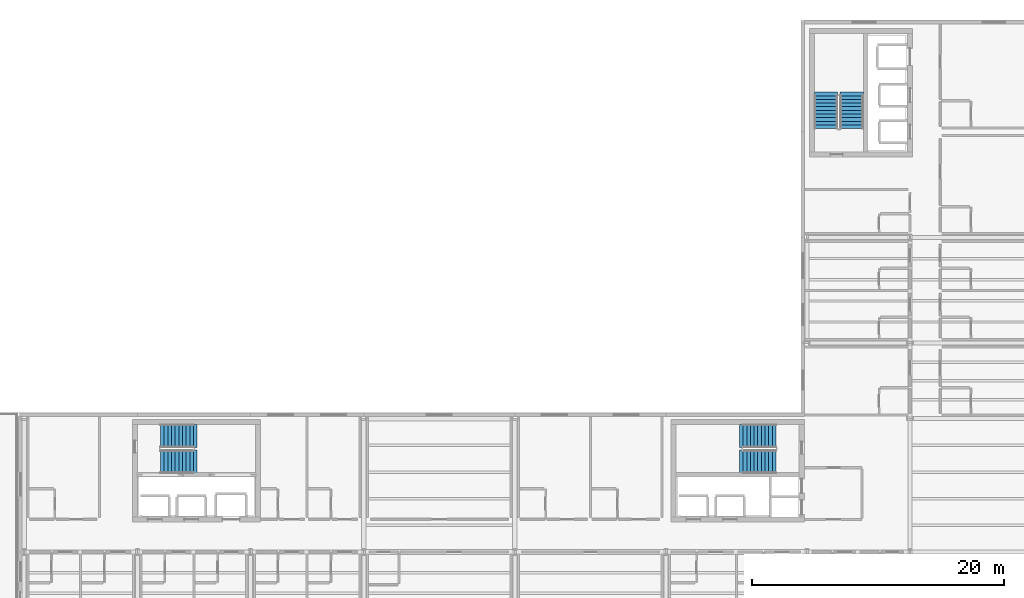
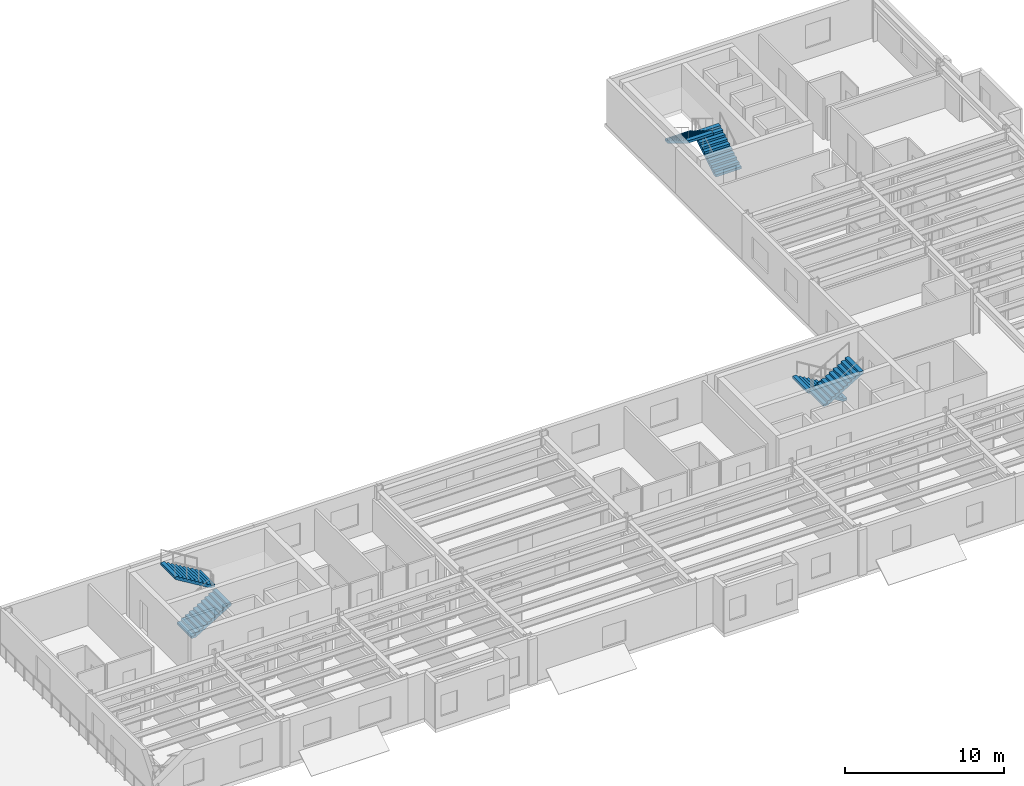
# One storey, part 13 of 17: 6 stair flights, 3 elements without a shape of their own.
"""IFC4 building model written with IfcOpenShell, lengths in metres."""

from ifc_helpers import new_model, si_unit, direction, frame, origin, place, context, subcontext, project, spatial, polyline, outline, extrude, material, type_object, element, aggregate, save


model = new_model("IFC4")

# Units and contexts
model_context = context("Model", 3, precision=1e-05, world=origin(), true_north=direction((0.0, 1.0)))
body_context = subcontext(model_context, "Body", "Model", "MODEL_VIEW")
ifc_project = project(units=[si_unit("LENGTHUNIT", "METRE"), si_unit("AREAUNIT", "SQUARE_METRE"), si_unit("VOLUMEUNIT", "CUBIC_METRE"), si_unit("PLANEANGLEUNIT", "RADIAN"), si_unit("MASSUNIT", "GRAM", prefix="KILO")], contexts=[model_context])

# Site, building, storey
site_placement = place(None, origin())
site = spatial("IfcSite", under=ifc_project, at=site_placement, CompositionType="ELEMENT")
building_placement = place(site_placement, origin())
building = spatial("IfcBuilding", under=site, at=building_placement, Name="Sollismere Congress Hotel", CompositionType="ELEMENT")
storey_placement = place(building_placement, frame((0.0, 0.0, 41.10009765625)))
storey = spatial("IfcBuildingStorey", under=building, at=storey_placement, Name="L10", CompositionType="ELEMENT", Elevation=41.10009765625)

# Stair, stair flights
ifc_material = material(Name="Concrete C40/50", Category="concrete")
stair_type = type_object("IfcStairType", Name="STR-DL-350", PredefinedType="HALF_TURN_STAIR", material=ifc_material)
stair_1_placement = place(storey_placement, origin())
stair_1 = element("IfcStair", 1, at=stair_1_placement, inside=storey, type_object=stair_type, Name="Protected exit stair ST-01-L10", PredefinedType="HALF_TURN_STAIR")
stair_flight_type = type_object("IfcStairFlightType", Name="STF-DL-350", PredefinedType="STRAIGHT", material=ifc_material)
stair_flight_1_placement = place(storey_placement, frame((144.75, 17.425048828125, 0.0), z_axis=(0.0, 0.0, 1.0), x_axis=(-1.0, 0.0, 0.0)))
stair_flight_1 = element("IfcStairFlight", 2, at=stair_flight_1_placement, type_object=stair_flight_type, Name="Exit stair flight ST-01-L10-F1", NumberOfRisers=10, NumberOfTreads=10, PredefinedType="STRAIGHT", RiserHeight=0.175048828125, TreadLength=0.2900390625, context=body_context, shape_type="SweptSolid", body=[
    extrude(outline(polyline([(0.0, 0.0), (0.0, 0.175048828125), (0.2900390625, 0.175048828125), (0.2900390625, 0.35009765625), (0.580078125, 0.35009765625), (0.580078125, 0.525146484375), (0.8701171875, 0.525146484375), (0.8701171875, 0.7001953125), (1.16015625, 0.7001953125), (1.16015625, 0.875244140625), (1.4501953125, 0.875244140625), (1.4501953125, 1.05029296875), (1.740234375, 1.05029296875), (1.740234375, 1.225341796875), (2.0302734375, 1.225341796875), (2.0302734375, 1.400390625), (2.3203125, 1.400390625), (2.3203125, 1.575439453125), (2.6103515625, 1.575439453125), (2.6103515625, 1.75048828125), (2.900390625, 1.75048828125), (2.900390625, 1.563720703125), (0.3095703125, 0.0), (0.0, 0.0)])), frame((0.0, 0.925048828125, 0.0), z_axis=(0.0, -1.0, 0.0), x_axis=(1.0, 0.0, 0.0)), (0.0, 0.0, 1.0), 1.85009765625),
])
stair_flight_2_placement = place(storey_placement, frame((141.85009765625, 15.375, 1.75), z_axis=(0.0, 0.0, 1.0), x_axis=(1.0, 0.0, 0.0)))
stair_flight_2 = element("IfcStairFlight", 3, at=stair_flight_2_placement, type_object=stair_flight_type, Name="Exit stair flight ST-01-L10-F2", NumberOfRisers=10, NumberOfTreads=10, PredefinedType="STRAIGHT", RiserHeight=0.175048828125, TreadLength=0.2900390625, context=body_context, shape_type="SweptSolid", body=[
    extrude(outline(polyline([(0.0, 0.0), (0.0, 0.175048828125), (0.2900390625, 0.175048828125), (0.2900390625, 0.35009765625), (0.580078125, 0.35009765625), (0.580078125, 0.525146484375), (0.8701171875, 0.525146484375), (0.8701171875, 0.7001953125), (1.16015625, 0.7001953125), (1.16015625, 0.875244140625), (1.4501953125, 0.875244140625), (1.4501953125, 1.05029296875), (1.740234375, 1.05029296875), (1.740234375, 1.225341796875), (2.0302734375, 1.225341796875), (2.0302734375, 1.400390625), (2.3203125, 1.400390625), (2.3203125, 1.575439453125), (2.6103515625, 1.575439453125), (2.6103515625, 1.75048828125), (2.900390625, 1.75048828125), (2.900390625, 1.563720703125), (0.3095703125, 0.0), (0.0, 0.0)])), frame((0.0, 0.925048828125, 0.0), z_axis=(0.0, -1.0, 0.0), x_axis=(1.0, 0.0, 0.0)), (0.0, 0.0, 1.0), 1.85009765625),
])
aggregate(stair_1, [stair_flight_1, stair_flight_2])

stair_2_placement = place(storey_placement, origin())
stair_2 = element("IfcStair", 4, at=stair_2_placement, inside=storey, type_object=stair_type, Name="Protected exit stair ST-02-L10", PredefinedType="HALF_TURN_STAIR")
stair_flight_3_placement = place(storey_placement, frame((95.85009765625, 15.375, 0.0), z_axis=(0.0, 0.0, 1.0), x_axis=(1.0, 0.0, 0.0)))
stair_flight_3 = element("IfcStairFlight", 5, at=stair_flight_3_placement, type_object=stair_flight_type, Name="Exit stair flight ST-02-L10-F1", NumberOfRisers=10, NumberOfTreads=10, PredefinedType="STRAIGHT", RiserHeight=0.175048828125, TreadLength=0.2900390625, context=body_context, shape_type="SweptSolid", body=[
    extrude(outline(polyline([(0.0, 0.0), (0.0, 0.175048828125), (0.2900390625, 0.175048828125), (0.2900390625, 0.35009765625), (0.580078125, 0.35009765625), (0.580078125, 0.525146484375), (0.8701171875, 0.525146484375), (0.8701171875, 0.7001953125), (1.16015625, 0.7001953125), (1.16015625, 0.875244140625), (1.4501953125, 0.875244140625), (1.4501953125, 1.05029296875), (1.740234375, 1.05029296875), (1.740234375, 1.225341796875), (2.0302734375, 1.225341796875), (2.0302734375, 1.400390625), (2.3203125, 1.400390625), (2.3203125, 1.575439453125), (2.6103515625, 1.575439453125), (2.6103515625, 1.75048828125), (2.900390625, 1.75048828125), (2.900390625, 1.563720703125), (0.3095703125, 0.0), (0.0, 0.0)])), frame((0.0, 0.925048828125, 0.0), z_axis=(0.0, -1.0, 0.0), x_axis=(1.0, 0.0, 0.0)), (0.0, 0.0, 1.0), 1.85009765625),
])
stair_flight_4_placement = place(storey_placement, frame((98.75, 17.425048828125, 1.75), z_axis=(0.0, 0.0, 1.0), x_axis=(-1.0, 0.0, 0.0)))
stair_flight_4 = element("IfcStairFlight", 6, at=stair_flight_4_placement, type_object=stair_flight_type, Name="Exit stair flight ST-02-L10-F2", NumberOfRisers=10, NumberOfTreads=10, PredefinedType="STRAIGHT", RiserHeight=0.175048828125, TreadLength=0.2900390625, context=body_context, shape_type="SweptSolid", body=[
    extrude(outline(polyline([(0.0, 0.0), (0.0, 0.175048828125), (0.2900390625, 0.175048828125), (0.2900390625, 0.35009765625), (0.580078125, 0.35009765625), (0.580078125, 0.525146484375), (0.8701171875, 0.525146484375), (0.8701171875, 0.7001953125), (1.16015625, 0.7001953125), (1.16015625, 0.875244140625), (1.4501953125, 0.875244140625), (1.4501953125, 1.05029296875), (1.740234375, 1.05029296875), (1.740234375, 1.225341796875), (2.0302734375, 1.225341796875), (2.0302734375, 1.400390625), (2.3203125, 1.400390625), (2.3203125, 1.575439453125), (2.6103515625, 1.575439453125), (2.6103515625, 1.75048828125), (2.900390625, 1.75048828125), (2.900390625, 1.563720703125), (0.3095703125, 0.0), (0.0, 0.0)])), frame((0.0, 0.925048828125, 0.0), z_axis=(0.0, -1.0, 0.0), x_axis=(1.0, 0.0, 0.0)), (0.0, 0.0, 1.0), 1.85009765625),
])
aggregate(stair_2, [stair_flight_3, stair_flight_4])

stair_3_placement = place(storey_placement, origin())
stair_3 = element("IfcStair", 7, at=stair_3_placement, inside=storey, type_object=stair_type, Name="Protected exit stair ST-03-L10", PredefinedType="HALF_TURN_STAIR")
stair_flight_5_placement = place(storey_placement, frame((150.77490234375, 41.85009765625, 0.0), z_axis=(0.0, 0.0, 1.0), x_axis=(0.0, 1.0, 0.0)))
stair_flight_5 = element("IfcStairFlight", 8, at=stair_flight_5_placement, type_object=stair_flight_type, Name="Exit stair flight ST-03-L10-F1", NumberOfRisers=10, NumberOfTreads=10, PredefinedType="STRAIGHT", RiserHeight=0.175048828125, TreadLength=0.2900390625, context=body_context, shape_type="SweptSolid", body=[
    extrude(outline(polyline([(0.0, 0.0), (0.0, 0.175048828125), (0.2900390625, 0.175048828125), (0.2900390625, 0.35009765625), (0.580078125, 0.35009765625), (0.580078125, 0.525146484375), (0.8701171875, 0.525146484375), (0.8701171875, 0.7001953125), (1.16015625, 0.7001953125), (1.16015625, 0.875244140625), (1.4501953125, 0.875244140625), (1.4501953125, 1.05029296875), (1.740234375, 1.05029296875), (1.740234375, 1.225341796875), (2.0302734375, 1.225341796875), (2.0302734375, 1.400390625), (2.3203125, 1.400390625), (2.3203125, 1.575439453125), (2.6103515625, 1.575439453125), (2.6103515625, 1.75048828125), (2.900390625, 1.75048828125), (2.900390625, 1.563720703125), (0.3095703125, 0.0), (0.0, 0.0)])), frame((0.0, 0.925048828125, 0.0), z_axis=(0.0, -1.0, 0.0), x_axis=(1.0, 0.0, 0.0)), (0.0, 0.0, 1.0), 1.85009765625),
])
stair_flight_6_placement = place(storey_placement, frame((148.72509765625, 44.75, 1.75), z_axis=(0.0, 0.0, 1.0), x_axis=(0.0, -1.0, 0.0)))
stair_flight_6 = element("IfcStairFlight", 9, at=stair_flight_6_placement, type_object=stair_flight_type, Name="Exit stair flight ST-03-L10-F2", NumberOfRisers=10, NumberOfTreads=10, PredefinedType="STRAIGHT", RiserHeight=0.175048828125, TreadLength=0.2900390625, context=body_context, shape_type="SweptSolid", body=[
    extrude(outline(polyline([(0.0, 0.0), (0.0, 0.175048828125), (0.2900390625, 0.175048828125), (0.2900390625, 0.35009765625), (0.580078125, 0.35009765625), (0.580078125, 0.525146484375), (0.8701171875, 0.525146484375), (0.8701171875, 0.7001953125), (1.16015625, 0.7001953125), (1.16015625, 0.875244140625), (1.4501953125, 0.875244140625), (1.4501953125, 1.05029296875), (1.740234375, 1.05029296875), (1.740234375, 1.225341796875), (2.0302734375, 1.225341796875), (2.0302734375, 1.400390625), (2.3203125, 1.400390625), (2.3203125, 1.575439453125), (2.6103515625, 1.575439453125), (2.6103515625, 1.75048828125), (2.900390625, 1.75048828125), (2.900390625, 1.563720703125), (0.3095703125, 0.0), (0.0, 0.0)])), frame((0.0, 0.925048828125, 0.0), z_axis=(0.0, -1.0, 0.0), x_axis=(1.0, 0.0, 0.0)), (0.0, 0.0, 1.0), 1.85009765625),
])
aggregate(stair_3, [stair_flight_5, stair_flight_6])

save(model, "model.ifc")
